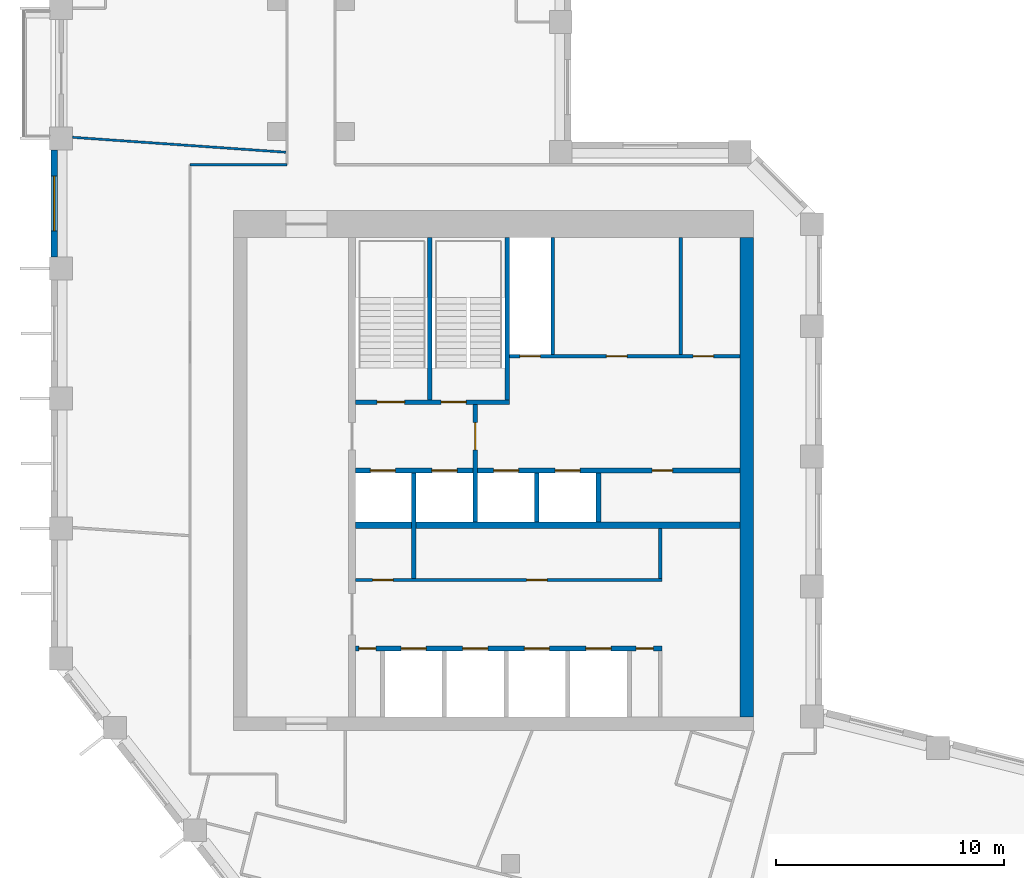
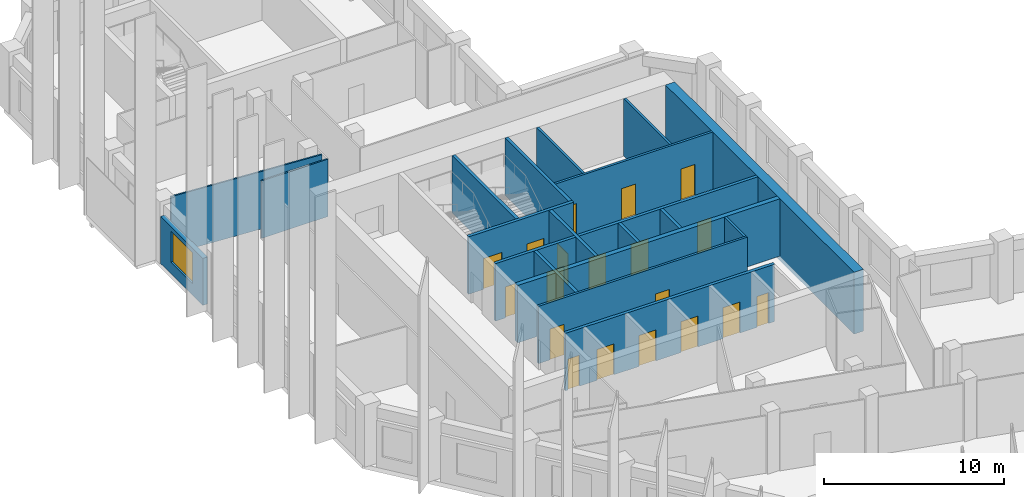
# One storey, part 5 of 9: 19 doors, 19 walls, 1 window, 20 openings.
"""IFC4 building model written with IfcOpenShell, lengths in metres."""

from ifc_helpers import new_model, si_unit, direction, frame, frame_2d, origin, place, context, subcontext, project, spatial, rectangle, extrude, material, layer, layer_set, type_object, element, fill, save


model = new_model("IFC4")

# Units and contexts
model_context = context("Model", 3, precision=1e-05, world=origin(), true_north=direction((0.0, 1.0)))
body_context = subcontext(model_context, "Body", "Model", "MODEL_VIEW")
ifc_project = project(units=[si_unit("LENGTHUNIT", "METRE"), si_unit("AREAUNIT", "SQUARE_METRE"), si_unit("VOLUMEUNIT", "CUBIC_METRE"), si_unit("PLANEANGLEUNIT", "RADIAN"), si_unit("MASSUNIT", "GRAM", prefix="KILO")], contexts=[model_context])

# Site, building, storey
site_placement = place(None, origin())
site = spatial("IfcSite", under=ifc_project, at=site_placement, CompositionType="ELEMENT")
building_placement = place(site_placement, origin())
building = spatial("IfcBuilding", under=site, at=building_placement, Name="Meshkara Civic Tower", CompositionType="ELEMENT")
storey_placement = place(building_placement, frame((0.0, 0.0, 306.60009765625)))
storey = spatial("IfcBuildingStorey", under=building, at=storey_placement, Name="L70", CompositionType="ELEMENT", Elevation=306.60009765625)

# Wall, openings, doors
ifc_material_1 = material(Name="Blockwork", Category="masonry")
ifc_layer_1 = layer(ifc_material_1, 0.14990234375)
ifc_layer_set_1 = layer_set([ifc_layer_1], Name="Core partition 150")
wall_type_1 = type_object("IfcWallType", Name="Core partition 150", PredefinedType="PARTITIONING", material=ifc_layer_set_1)
wall_1_placement = place(storey_placement, frame((13.35009765625, 20.699951171875, 0.0), z_axis=(0.0, 0.0, 1.0), x_axis=(1.0, 0.0, 0.0)))
wall_1 = element("IfcWall", 1, at=wall_1_placement, inside=storey, type_object=wall_type_1, Name="L70-C006", PredefinedType="PARTITIONING", context=body_context, shape_type="SweptSolid", body=[
    extrude(rectangle(XDim=13.4248046875, YDim=0.14990234375, at=frame_2d((6.71240234375, 0.0))), origin(), (0.0, 0.0, 1.0), 3.89990234375),
])
opening_1_placement = place(wall_1_placement, frame((0.75, 0.0, 0.0)))
opening_1 = element("IfcOpeningElement", 2, at=opening_1_placement, cuts=wall_1, Name="Opening L70-K011", PredefinedType="OPENING", context=body_context, shape_type="SweptSolid", body=[
    extrude(rectangle(XDim=0.89990234375, YDim=2.10009765625, at=frame_2d((0.449951171875, 1.050048828125))), frame((0.0, 0.0849609375, 0.0), z_axis=(0.0, -1.0, 0.0), x_axis=(1.0, 0.0, 0.0)), (0.0, 0.0, 1.0), 0.169921875),
])
opening_2_placement = place(wall_1_placement, frame((7.5, 0.0, 0.0)))
opening_2 = element("IfcOpeningElement", 3, at=opening_2_placement, cuts=wall_1, Name="Opening L70-K012", PredefinedType="OPENING", context=body_context, shape_type="SweptSolid", body=[
    extrude(rectangle(XDim=0.89990234375, YDim=2.10009765625, at=frame_2d((0.449951171875, 1.050048828125))), frame((0.0, 0.0849609375, 0.0), z_axis=(0.0, -1.0, 0.0), x_axis=(1.0, 0.0, 0.0)), (0.0, 0.0, 1.0), 0.169921875),
])
ifc_material_2 = material(Name="Timber door leaf in steel frame", Category="steel")
door_type_1 = type_object("IfcDoorType", Name="Core room door 900", OperationType="SINGLE_SWING_LEFT", PredefinedType="DOOR", material=ifc_material_2)
door_1_placement = place(opening_1_placement, origin())
door_1 = element("IfcDoor", 4, at=door_1_placement, inside=storey, type_object=door_type_1, Name="L70-K011", OperationType="SINGLE_SWING_RIGHT", OverallHeight=2.10009765625, OverallWidth=0.89990234375, PredefinedType="DOOR", context=body_context, shape_type="SweptSolid", body=[
    extrude(rectangle(XDim=0.89990234375, YDim=2.10009765625, at=frame_2d((0.449951171875, 1.050048828125))), frame((0.0, 0.02490234375, 0.0), z_axis=(0.0, -1.0, 0.0), x_axis=(1.0, 0.0, 0.0)), (0.0, 0.0, 1.0), 0.050048828125),
])
fill(opening_1, door_1)
door_2_placement = place(opening_2_placement, origin())
door_2 = element("IfcDoor", 5, at=door_2_placement, inside=storey, type_object=door_type_1, Name="L70-K012", OperationType="SINGLE_SWING_LEFT", OverallHeight=2.10009765625, OverallWidth=0.89990234375, PredefinedType="DOOR", context=body_context, shape_type="SweptSolid", body=[
    extrude(rectangle(XDim=0.89990234375, YDim=2.10009765625, at=frame_2d((0.449951171875, 1.050048828125))), frame((0.0, 0.02490234375, 0.0), z_axis=(0.0, -1.0, 0.0), x_axis=(1.0, 0.0, 0.0)), (0.0, 0.0, 1.0), 0.050048828125),
])
fill(opening_2, door_2)

wall_2_placement = place(storey_placement, frame((20.10009765625, 30.5, 0.0), z_axis=(0.0, 0.0, 1.0), x_axis=(1.0, 0.0, 0.0)))
wall_2 = element("IfcWall", 6, at=wall_2_placement, inside=storey, type_object=wall_type_1, Name="L70-C010", PredefinedType="PARTITIONING", context=body_context, shape_type="SweptSolid", body=[
    extrude(rectangle(XDim=10.099853515625, YDim=0.14990234375, at=frame_2d((5.0498046875, 0.0))), origin(), (0.0, 0.0, 1.0), 3.89990234375),
])
opening_3_placement = place(wall_2_placement, frame((0.449951171875, 0.0, 0.0)))
opening_3 = element("IfcOpeningElement", 7, at=opening_3_placement, cuts=wall_2, Name="Opening L70-K014", PredefinedType="OPENING", context=body_context, shape_type="SweptSolid", body=[
    extrude(rectangle(XDim=0.89990234375, YDim=2.10009765625, at=frame_2d((0.449951171875, 1.050048828125))), frame((0.0, 0.0849609375, 0.0), z_axis=(0.0, -1.0, 0.0), x_axis=(1.0, 0.0, 0.0)), (0.0, 0.0, 1.0), 0.169921875),
])
opening_4_placement = place(wall_2_placement, frame((4.25, 0.0, 0.0)))
opening_4 = element("IfcOpeningElement", 8, at=opening_4_placement, cuts=wall_2, Name="Opening L70-K015", PredefinedType="OPENING", context=body_context, shape_type="SweptSolid", body=[
    extrude(rectangle(XDim=0.89990234375, YDim=2.10009765625, at=frame_2d((0.449951171875, 1.050048828125))), frame((0.0, 0.0849609375, 0.0), z_axis=(0.0, -1.0, 0.0), x_axis=(1.0, 0.0, 0.0)), (0.0, 0.0, 1.0), 0.169921875),
])
opening_5_placement = place(wall_2_placement, frame((8.050048828125, 0.0, 0.0)))
opening_5 = element("IfcOpeningElement", 9, at=opening_5_placement, cuts=wall_2, Name="Opening L70-K016", PredefinedType="OPENING", context=body_context, shape_type="SweptSolid", body=[
    extrude(rectangle(XDim=0.89990234375, YDim=2.10009765625, at=frame_2d((0.449951171875, 1.050048828125))), frame((0.0, 0.0849609375, 0.0), z_axis=(0.0, -1.0, 0.0), x_axis=(1.0, 0.0, 0.0)), (0.0, 0.0, 1.0), 0.169921875),
])
door_3_placement = place(opening_4_placement, origin())
door_3 = element("IfcDoor", 10, at=door_3_placement, inside=storey, type_object=door_type_1, Name="L70-K015", OperationType="SINGLE_SWING_RIGHT", OverallHeight=2.10009765625, OverallWidth=0.89990234375, PredefinedType="DOOR", context=body_context, shape_type="SweptSolid", body=[
    extrude(rectangle(XDim=0.89990234375, YDim=2.10009765625, at=frame_2d((0.449951171875, 1.050048828125))), frame((0.0, 0.02490234375, 0.0), z_axis=(0.0, -1.0, 0.0), x_axis=(1.0, 0.0, 0.0)), (0.0, 0.0, 1.0), 0.050048828125),
])
fill(opening_4, door_3)
door_4_placement = place(opening_5_placement, origin())
door_4 = element("IfcDoor", 11, at=door_4_placement, inside=storey, type_object=door_type_1, Name="L70-K016", OperationType="SINGLE_SWING_RIGHT", OverallHeight=2.10009765625, OverallWidth=0.89990234375, PredefinedType="DOOR", context=body_context, shape_type="SweptSolid", body=[
    extrude(rectangle(XDim=0.89990234375, YDim=2.10009765625, at=frame_2d((0.449951171875, 1.050048828125))), frame((0.0, 0.02490234375, 0.0), z_axis=(0.0, -1.0, 0.0), x_axis=(1.0, 0.0, 0.0)), (0.0, 0.0, 1.0), 0.050048828125),
])
fill(opening_5, door_4)
ifc_material_3 = material(Name="Fire-rated door leaf in steel frame", Category="steel")
door_type_2 = type_object("IfcDoorType", Name="Riser door 900", OperationType="SINGLE_SWING_LEFT", PredefinedType="DOOR", material=ifc_material_3)
door_5_placement = place(opening_3_placement, origin())
door_5 = element("IfcDoor", 12, at=door_5_placement, inside=storey, type_object=door_type_2, Name="L70-K014", OperationType="SINGLE_SWING_RIGHT", OverallHeight=2.10009765625, OverallWidth=0.89990234375, PredefinedType="DOOR", context=body_context, shape_type="SweptSolid", body=[
    extrude(rectangle(XDim=0.89990234375, YDim=2.10009765625, at=frame_2d((0.449951171875, 1.050048828125))), frame((0.0, 0.02490234375, 0.0), z_axis=(0.0, -1.0, 0.0), x_axis=(1.0, 0.0, 0.0)), (0.0, 0.0, 1.0), 0.050048828125),
])
fill(opening_3, door_5)

# Walls
wall_3_placement = place(storey_placement, frame((22.0, 30.574951171875, 0.0), z_axis=(0.0, 0.0, 1.0), x_axis=(0.0, 1.0, 0.0)))
element("IfcWall", 13, at=wall_3_placement, inside=storey, type_object=wall_type_1, Name="L70-C020", PredefinedType="PARTITIONING", context=body_context, shape_type="SweptSolid", body=[
    extrude(rectangle(XDim=5.125, YDim=0.14990234375, at=frame_2d((2.5625, 0.0))), origin(), (0.0, 0.0, 1.0), 3.89990234375),
])
wall_4_placement = place(storey_placement, frame((26.699951171875, 20.77490234375, 0.0), z_axis=(0.0, 0.0, 1.0), x_axis=(0.0, 1.0, 0.0)))
element("IfcWall", 14, at=wall_4_placement, inside=storey, type_object=wall_type_1, Name="L70-C025", PredefinedType="PARTITIONING", context=body_context, shape_type="SweptSolid", body=[
    extrude(rectangle(XDim=2.175048828125, YDim=0.14990234375, at=frame_2d((1.08740234375, 0.0))), origin(), (0.0, 0.0, 1.0), 3.89990234375),
])
wall_5_placement = place(storey_placement, frame((27.60009765625, 30.574951171875, 0.0), z_axis=(0.0, 0.0, 1.0), x_axis=(0.0, 1.0, 0.0)))
element("IfcWall", 15, at=wall_5_placement, inside=storey, type_object=wall_type_1, Name="L70-C026", PredefinedType="PARTITIONING", context=body_context, shape_type="SweptSolid", body=[
    extrude(rectangle(XDim=5.125, YDim=0.14990234375, at=frame_2d((2.5625, 0.0))), origin(), (0.0, 0.0, 1.0), 3.89990234375),
])
ifc_material_4 = material(Name="Concrete C60", Category="concrete")
ifc_layer_2 = layer(ifc_material_4, 0.60009765625)
ifc_layer_set_2 = layer_set([ifc_layer_2], Name="Core ring wall 600 C60")
wall_type_2 = type_object("IfcWallType", Name="Core ring wall 600 C60", PredefinedType="SHEAR", material=ifc_layer_set_2)
wall_6_placement = place(storey_placement, frame((30.5, 14.699951171875, -0.300048828125), z_axis=(0.0, 0.0, 1.0), x_axis=(0.0, 1.0, 0.0)))
element("IfcWall", 16, at=wall_6_placement, inside=storey, type_object=wall_type_2, Name="L70-C004", PredefinedType="SHEAR", context=body_context, shape_type="SweptSolid", body=[
    extrude(rectangle(XDim=21.0, YDim=0.60009765625, at=frame_2d((10.5, 0.0))), origin(), (0.0, 0.0, 1.0), 4.199951171875),
])
ifc_material_5 = material(Name="Concrete C60", Category="concrete")
ifc_layer_3 = layer(ifc_material_5, 0.300048828125)
ifc_layer_set_3 = layer_set([ifc_layer_3], Name="Core shear wall 300 C60")
wall_type_3 = type_object("IfcWallType", Name="Core shear wall 300 C60", PredefinedType="SHEAR", material=ifc_layer_set_3)
wall_7_placement = place(storey_placement, frame((13.35009765625, 23.10009765625, 0.0), z_axis=(0.0, 0.0, 1.0), x_axis=(1.0, 0.0, 0.0)))
element("IfcWall", 17, at=wall_7_placement, inside=storey, type_object=wall_type_3, Name="L70-C007", PredefinedType="SHEAR", context=body_context, shape_type="SweptSolid", body=[
    extrude(rectangle(XDim=16.849853515625, YDim=0.300048828125, at=frame_2d((8.4248046875, 0.0))), origin(), (0.0, 0.0, 1.0), 3.89990234375),
])
ifc_material_6 = material(Name="Corridor wall 100")
ifc_layer_4 = layer(ifc_material_6, 0.10009765625)
ifc_layer_set_4 = layer_set([ifc_layer_4], Name="Corridor wall 100")
wall_type_4 = type_object("IfcWallType", Name="Corridor wall 100", PredefinedType="PARTITIONING", material=ifc_layer_set_4)
wall_8_placement = place(storey_placement, frame((10.35009765625, 38.89990234375, 0.0), z_axis=(0.0, 0.0, 1.0), x_axis=(-1.0, 0.0, 0.0)))
element("IfcWall", 18, at=wall_8_placement, inside=storey, type_object=wall_type_4, Name="L70-W011", PredefinedType="PARTITIONING", context=body_context, shape_type="SweptSolid", body=[
    extrude(rectangle(XDim=4.25, YDim=0.10009765625, at=frame_2d((2.125, 0.0))), origin(), (0.0, 0.0, 1.0), 3.89990234375),
])

# Wall, opening, window
ifc_material_7 = material(Name="Insulated infill panel with bronze anodised aluminium cladding", Category="aluminium")
ifc_layer_5 = layer(ifc_material_7, 0.300048828125)
ifc_layer_set_5 = layer_set([ifc_layer_5], Name="EXTERNAL INFILL WALL 300")
wall_type_5 = type_object("IfcWallType", Name="EXTERNAL INFILL WALL 300", PredefinedType="SOLIDWALL", material=ifc_layer_set_5)
wall_9_placement = place(storey_placement, frame((0.14990234375, 39.554931640625, 0.0), z_axis=(0.0, 0.0, 1.0), x_axis=(0.0, -1.0, 0.0)))
wall_9 = element("IfcWall", 19, at=wall_9_placement, inside=storey, type_object=wall_type_5, Name="External wall", PredefinedType="SOLIDWALL", context=body_context, shape_type="SweptSolid", body=[
    extrude(rectangle(XDim=4.699951171875, YDim=0.300048828125, at=frame_2d((2.35009765625, 0.0))), origin(), (0.0, 0.0, 1.0), 3.199951171875),
])
opening_6_placement = place(wall_9_placement, frame((1.14990234375, 0.0, 0.800048828125)))
opening_6 = element("IfcOpeningElement", 20, at=opening_6_placement, cuts=wall_9, Name="Opening W7", PredefinedType="OPENING", context=body_context, shape_type="SweptSolid", body=[
    extrude(rectangle(XDim=2.39990234375, YDim=2.10009765625, at=frame_2d((1.199951171875, 1.050048828125))), frame((0.0, 0.159912109375, 0.0), z_axis=(0.0, -1.0, 0.0), x_axis=(1.0, 0.0, 0.0)), (0.0, 0.0, 1.0), 0.320068359375),
])
ifc_material_8 = material(Name="Tinted double glazing", Category="glass")
window_type = type_object("IfcWindowType", Name="WINDOW 2400x2100", PartitioningType="DOUBLE_PANEL_VERTICAL", PredefinedType="WINDOW", material=ifc_material_8)
window_placement = place(opening_6_placement, origin())
window = element("IfcWindow", 21, at=window_placement, inside=storey, type_object=window_type, Name="Window", OverallHeight=2.10009765625, OverallWidth=2.39990234375, PartitioningType="DOUBLE_PANEL_VERTICAL", PredefinedType="WINDOW", context=body_context, shape_type="SweptSolid", body=[
    extrude(rectangle(XDim=2.39990234375, YDim=2.10009765625, at=frame_2d((1.199951171875, 1.050048828125))), frame((0.0, 0.030029296875, 0.0), z_axis=(0.0, -1.0, 0.0), x_axis=(1.0, 0.0, 0.0)), (0.0, 0.0, 1.0), 0.06005859375),
])
fill(opening_6, window)

# Wall
ifc_material_9 = material(Name="Partition 100")
ifc_layer_6 = layer(ifc_material_9, 0.10009765625)
ifc_layer_set_6 = layer_set([ifc_layer_6], Name="Partition 100")
wall_type_6 = type_object("IfcWallType", Name="Partition 100", PredefinedType="PARTITIONING", material=ifc_layer_set_6)
wall_10_placement = place(storey_placement, frame((10.297119140625, 39.447021484375, 0.0), z_axis=(0.0, 0.0, 1.0), x_axis=(-0.997560818082, 0.069802680657, 0.0)))
element("IfcWall", 22, at=wall_10_placement, inside=storey, type_object=wall_type_6, Name="L70-W045", PredefinedType="PARTITIONING", context=body_context, shape_type="SweptSolid", body=[
    extrude(rectangle(XDim=9.3701171875, YDim=0.10009765625, at=frame_2d((4.68505859375, 0.0))), origin(), (0.0, 0.0, 1.0), 3.89990234375),
])

# Wall, openings, doors
ifc_material_10 = material(Name="Concrete C40/50", Category="concrete")
ifc_layer_7 = layer(ifc_material_10, 0.199951171875)
ifc_layer_set_7 = layer_set([ifc_layer_7], Name="Shaft wall 200 C40/50")
wall_type_7 = type_object("IfcWallType", Name="Shaft wall 200 C40/50", PredefinedType="SOLIDWALL", material=ifc_layer_set_7)
wall_11_placement = place(storey_placement, frame((13.35009765625, 17.699951171875, 0.0), z_axis=(0.0, 0.0, 1.0), x_axis=(1.0, 0.0, 0.0)))
wall_11 = element("IfcWall", 23, at=wall_11_placement, inside=storey, type_object=wall_type_7, Name="L70-C005", PredefinedType="SOLIDWALL", context=body_context, shape_type="SweptSolid", body=[
    extrude(rectangle(XDim=13.4248046875, YDim=0.199951171875, at=frame_2d((6.71240234375, 0.0))), origin(), (0.0, 0.0, 1.0), 3.89990234375),
])
opening_7_placement = place(wall_11_placement, frame((2.0, 0.0, 0.0)))
opening_7 = element("IfcOpeningElement", 24, at=opening_7_placement, cuts=wall_11, Name="Opening L70-K001", PredefinedType="OPENING", context=body_context, shape_type="SweptSolid", body=[
    extrude(rectangle(XDim=1.10009765625, YDim=2.10009765625, at=frame_2d((0.550048828125, 1.050048828125))), frame((0.0, 0.10986328125, 0.0), z_axis=(0.0, -1.0, 0.0), x_axis=(1.0, 0.0, 0.0)), (0.0, 0.0, 1.0), 0.219970703125),
])
opening_8_placement = place(wall_11_placement, frame((4.699951171875, 0.0, 0.0)))
opening_8 = element("IfcOpeningElement", 25, at=opening_8_placement, cuts=wall_11, Name="Opening L70-K002", PredefinedType="OPENING", context=body_context, shape_type="SweptSolid", body=[
    extrude(rectangle(XDim=1.10009765625, YDim=2.10009765625, at=frame_2d((0.550048828125, 1.050048828125))), frame((0.0, 0.10986328125, 0.0), z_axis=(0.0, -1.0, 0.0), x_axis=(1.0, 0.0, 0.0)), (0.0, 0.0, 1.0), 0.219970703125),
])
opening_9_placement = place(wall_11_placement, frame((7.39990234375, 0.0, 0.0)))
opening_9 = element("IfcOpeningElement", 26, at=opening_9_placement, cuts=wall_11, Name="Opening L70-K003", PredefinedType="OPENING", context=body_context, shape_type="SweptSolid", body=[
    extrude(rectangle(XDim=1.10009765625, YDim=2.10009765625, at=frame_2d((0.550048828125, 1.050048828125))), frame((0.0, 0.10986328125, 0.0), z_axis=(0.0, -1.0, 0.0), x_axis=(1.0, 0.0, 0.0)), (0.0, 0.0, 1.0), 0.219970703125),
])
opening_10_placement = place(wall_11_placement, frame((10.10009765625, 0.0, 0.0)))
opening_10 = element("IfcOpeningElement", 27, at=opening_10_placement, cuts=wall_11, Name="Opening L70-K004", PredefinedType="OPENING", context=body_context, shape_type="SweptSolid", body=[
    extrude(rectangle(XDim=1.10009765625, YDim=2.10009765625, at=frame_2d((0.550048828125, 1.050048828125))), frame((0.0, 0.10986328125, 0.0), z_axis=(0.0, -1.0, 0.0), x_axis=(1.0, 0.0, 0.0)), (0.0, 0.0, 1.0), 0.219970703125),
])
opening_11_placement = place(wall_11_placement, frame((0.14990234375, 0.0, 0.0)))
opening_11 = element("IfcOpeningElement", 28, at=opening_11_placement, cuts=wall_11, Name="Opening L70-K009", PredefinedType="OPENING", context=body_context, shape_type="SweptSolid", body=[
    extrude(rectangle(XDim=0.75, YDim=2.10009765625, at=frame_2d((0.375, 1.050048828125))), frame((0.0, 0.10986328125, 0.0), z_axis=(0.0, -1.0, 0.0), x_axis=(1.0, 0.0, 0.0)), (0.0, 0.0, 1.0), 0.219970703125),
])
opening_12_placement = place(wall_11_placement, frame((12.300048828125, 0.0, 0.0)))
opening_12 = element("IfcOpeningElement", 29, at=opening_12_placement, cuts=wall_11, Name="Opening L70-K010", PredefinedType="OPENING", context=body_context, shape_type="SweptSolid", body=[
    extrude(rectangle(XDim=0.75, YDim=2.10009765625, at=frame_2d((0.375, 1.050048828125))), frame((0.0, 0.10986328125, 0.0), z_axis=(0.0, -1.0, 0.0), x_axis=(1.0, 0.0, 0.0)), (0.0, 0.0, 1.0), 0.219970703125),
])
ifc_material_11 = material(Name="Timber door leaf in steel frame", Category="steel")
door_type_3 = type_object("IfcDoorType", Name="Core room door 750", OperationType="SINGLE_SWING_LEFT", PredefinedType="DOOR", material=ifc_material_11)
door_6_placement = place(opening_11_placement, origin())
door_6 = element("IfcDoor", 30, at=door_6_placement, inside=storey, type_object=door_type_3, Name="L70-K009", OperationType="SINGLE_SWING_RIGHT", OverallHeight=2.10009765625, OverallWidth=0.75, PredefinedType="DOOR", context=body_context, shape_type="SweptSolid", body=[
    extrude(rectangle(XDim=0.75, YDim=2.10009765625, at=frame_2d((0.375, 1.050048828125))), frame((0.0, 0.02490234375, 0.0), z_axis=(0.0, -1.0, 0.0), x_axis=(1.0, 0.0, 0.0)), (0.0, 0.0, 1.0), 0.050048828125),
])
fill(opening_11, door_6)
door_7_placement = place(opening_12_placement, origin())
door_7 = element("IfcDoor", 31, at=door_7_placement, inside=storey, type_object=door_type_3, Name="L70-K010", OperationType="SINGLE_SWING_RIGHT", OverallHeight=2.10009765625, OverallWidth=0.75, PredefinedType="DOOR", context=body_context, shape_type="SweptSolid", body=[
    extrude(rectangle(XDim=0.75, YDim=2.10009765625, at=frame_2d((0.375, 1.050048828125))), frame((0.0, 0.02490234375, 0.0), z_axis=(0.0, -1.0, 0.0), x_axis=(1.0, 0.0, 0.0)), (0.0, 0.0, 1.0), 0.050048828125),
])
fill(opening_12, door_7)
ifc_material_12 = material(Name="Stainless steel landing door", Category="steel")
door_type_4 = type_object("IfcDoorType", Name="Lift landing door 1100", OperationType="SLIDING_TO_LEFT", PredefinedType="DOOR", material=ifc_material_12)
door_8_placement = place(opening_7_placement, origin())
door_8 = element("IfcDoor", 32, at=door_8_placement, inside=storey, type_object=door_type_4, Name="L70-K001", OperationType="SLIDING_TO_LEFT", OverallHeight=2.10009765625, OverallWidth=1.10009765625, PredefinedType="DOOR", context=body_context, shape_type="SweptSolid", body=[
    extrude(rectangle(XDim=1.10009765625, YDim=2.10009765625, at=frame_2d((0.550048828125, 1.050048828125))), frame((0.0, 0.02490234375, 0.0), z_axis=(0.0, -1.0, 0.0), x_axis=(1.0, 0.0, 0.0)), (0.0, 0.0, 1.0), 0.050048828125),
])
fill(opening_7, door_8)
door_9_placement = place(opening_8_placement, origin())
door_9 = element("IfcDoor", 33, at=door_9_placement, inside=storey, type_object=door_type_4, Name="L70-K002", OperationType="SLIDING_TO_LEFT", OverallHeight=2.10009765625, OverallWidth=1.10009765625, PredefinedType="DOOR", context=body_context, shape_type="SweptSolid", body=[
    extrude(rectangle(XDim=1.10009765625, YDim=2.10009765625, at=frame_2d((0.550048828125, 1.050048828125))), frame((0.0, 0.02490234375, 0.0), z_axis=(0.0, -1.0, 0.0), x_axis=(1.0, 0.0, 0.0)), (0.0, 0.0, 1.0), 0.050048828125),
])
fill(opening_8, door_9)
door_10_placement = place(opening_9_placement, origin())
door_10 = element("IfcDoor", 34, at=door_10_placement, inside=storey, type_object=door_type_4, Name="L70-K003", OperationType="SLIDING_TO_LEFT", OverallHeight=2.10009765625, OverallWidth=1.10009765625, PredefinedType="DOOR", context=body_context, shape_type="SweptSolid", body=[
    extrude(rectangle(XDim=1.10009765625, YDim=2.10009765625, at=frame_2d((0.550048828125, 1.050048828125))), frame((0.0, 0.02490234375, 0.0), z_axis=(0.0, -1.0, 0.0), x_axis=(1.0, 0.0, 0.0)), (0.0, 0.0, 1.0), 0.050048828125),
])
fill(opening_9, door_10)
door_11_placement = place(opening_10_placement, origin())
door_11 = element("IfcDoor", 35, at=door_11_placement, inside=storey, type_object=door_type_4, Name="L70-K004", OperationType="SLIDING_TO_LEFT", OverallHeight=2.10009765625, OverallWidth=1.10009765625, PredefinedType="DOOR", context=body_context, shape_type="SweptSolid", body=[
    extrude(rectangle(XDim=1.10009765625, YDim=2.10009765625, at=frame_2d((0.550048828125, 1.050048828125))), frame((0.0, 0.02490234375, 0.0), z_axis=(0.0, -1.0, 0.0), x_axis=(1.0, 0.0, 0.0)), (0.0, 0.0, 1.0), 0.050048828125),
])
fill(opening_10, door_11)

wall_12_placement = place(storey_placement, frame((13.35009765625, 25.5, 0.0), z_axis=(0.0, 0.0, 1.0), x_axis=(1.0, 0.0, 0.0)))
wall_12 = element("IfcWall", 36, at=wall_12_placement, inside=storey, type_object=wall_type_7, Name="L70-C008", PredefinedType="SOLIDWALL", context=body_context, shape_type="SweptSolid", body=[
    extrude(rectangle(XDim=16.849853515625, YDim=0.199951171875, at=frame_2d((8.4248046875, 0.0))), origin(), (0.0, 0.0, 1.0), 3.89990234375),
])
opening_13_placement = place(wall_12_placement, frame((0.64990234375, 0.0, 0.0)))
opening_13 = element("IfcOpeningElement", 37, at=opening_13_placement, cuts=wall_12, Name="Opening L70-K005", PredefinedType="OPENING", context=body_context, shape_type="SweptSolid", body=[
    extrude(rectangle(XDim=1.10009765625, YDim=2.10009765625, at=frame_2d((0.550048828125, 1.050048828125))), frame((0.0, 0.10986328125, 0.0), z_axis=(0.0, -1.0, 0.0), x_axis=(1.0, 0.0, 0.0)), (0.0, 0.0, 1.0), 0.219970703125),
])
opening_14_placement = place(wall_12_placement, frame((3.35009765625, 0.0, 0.0)))
opening_14 = element("IfcOpeningElement", 38, at=opening_14_placement, cuts=wall_12, Name="Opening L70-K006", PredefinedType="OPENING", context=body_context, shape_type="SweptSolid", body=[
    extrude(rectangle(XDim=1.10009765625, YDim=2.10009765625, at=frame_2d((0.550048828125, 1.050048828125))), frame((0.0, 0.10986328125, 0.0), z_axis=(0.0, -1.0, 0.0), x_axis=(1.0, 0.0, 0.0)), (0.0, 0.0, 1.0), 0.219970703125),
])
opening_15_placement = place(wall_12_placement, frame((6.050048828125, 0.0, 0.0)))
opening_15 = element("IfcOpeningElement", 39, at=opening_15_placement, cuts=wall_12, Name="Opening L70-K007", PredefinedType="OPENING", context=body_context, shape_type="SweptSolid", body=[
    extrude(rectangle(XDim=1.10009765625, YDim=2.10009765625, at=frame_2d((0.550048828125, 1.050048828125))), frame((0.0, 0.10986328125, 0.0), z_axis=(0.0, -1.0, 0.0), x_axis=(1.0, 0.0, 0.0)), (0.0, 0.0, 1.0), 0.219970703125),
])
opening_16_placement = place(wall_12_placement, frame((8.75, 0.0, 0.0)))
opening_16 = element("IfcOpeningElement", 40, at=opening_16_placement, cuts=wall_12, Name="Opening L70-K008", PredefinedType="OPENING", context=body_context, shape_type="SweptSolid", body=[
    extrude(rectangle(XDim=1.10009765625, YDim=2.10009765625, at=frame_2d((0.550048828125, 1.050048828125))), frame((0.0, 0.10986328125, 0.0), z_axis=(0.0, -1.0, 0.0), x_axis=(1.0, 0.0, 0.0)), (0.0, 0.0, 1.0), 0.219970703125),
])
opening_17_placement = place(wall_12_placement, frame((13.0, 0.0, 0.0)))
opening_17 = element("IfcOpeningElement", 41, at=opening_17_placement, cuts=wall_12, Name="Opening L70-K013", PredefinedType="OPENING", context=body_context, shape_type="SweptSolid", body=[
    extrude(rectangle(XDim=0.89990234375, YDim=2.10009765625, at=frame_2d((0.449951171875, 1.050048828125))), frame((0.0, 0.10986328125, 0.0), z_axis=(0.0, -1.0, 0.0), x_axis=(1.0, 0.0, 0.0)), (0.0, 0.0, 1.0), 0.219970703125),
])
door_12_placement = place(opening_17_placement, origin())
door_12 = element("IfcDoor", 42, at=door_12_placement, inside=storey, type_object=door_type_1, Name="L70-K013", OperationType="SINGLE_SWING_LEFT", OverallHeight=2.10009765625, OverallWidth=0.89990234375, PredefinedType="DOOR", context=body_context, shape_type="SweptSolid", body=[
    extrude(rectangle(XDim=0.89990234375, YDim=2.10009765625, at=frame_2d((0.449951171875, 1.050048828125))), frame((0.0, 0.02490234375, 0.0), z_axis=(0.0, -1.0, 0.0), x_axis=(1.0, 0.0, 0.0)), (0.0, 0.0, 1.0), 0.050048828125),
])
fill(opening_17, door_12)
door_13_placement = place(opening_13_placement, origin())
door_13 = element("IfcDoor", 43, at=door_13_placement, inside=storey, type_object=door_type_4, Name="L70-K005", OperationType="SLIDING_TO_LEFT", OverallHeight=2.10009765625, OverallWidth=1.10009765625, PredefinedType="DOOR", context=body_context, shape_type="SweptSolid", body=[
    extrude(rectangle(XDim=1.10009765625, YDim=2.10009765625, at=frame_2d((0.550048828125, 1.050048828125))), frame((0.0, 0.02490234375, 0.0), z_axis=(0.0, -1.0, 0.0), x_axis=(1.0, 0.0, 0.0)), (0.0, 0.0, 1.0), 0.050048828125),
])
fill(opening_13, door_13)
door_14_placement = place(opening_14_placement, origin())
door_14 = element("IfcDoor", 44, at=door_14_placement, inside=storey, type_object=door_type_4, Name="L70-K006", OperationType="SLIDING_TO_LEFT", OverallHeight=2.10009765625, OverallWidth=1.10009765625, PredefinedType="DOOR", context=body_context, shape_type="SweptSolid", body=[
    extrude(rectangle(XDim=1.10009765625, YDim=2.10009765625, at=frame_2d((0.550048828125, 1.050048828125))), frame((0.0, 0.02490234375, 0.0), z_axis=(0.0, -1.0, 0.0), x_axis=(1.0, 0.0, 0.0)), (0.0, 0.0, 1.0), 0.050048828125),
])
fill(opening_14, door_14)
door_15_placement = place(opening_15_placement, origin())
door_15 = element("IfcDoor", 45, at=door_15_placement, inside=storey, type_object=door_type_4, Name="L70-K007", OperationType="SLIDING_TO_LEFT", OverallHeight=2.10009765625, OverallWidth=1.10009765625, PredefinedType="DOOR", context=body_context, shape_type="SweptSolid", body=[
    extrude(rectangle(XDim=1.10009765625, YDim=2.10009765625, at=frame_2d((0.550048828125, 1.050048828125))), frame((0.0, 0.02490234375, 0.0), z_axis=(0.0, -1.0, 0.0), x_axis=(1.0, 0.0, 0.0)), (0.0, 0.0, 1.0), 0.050048828125),
])
fill(opening_15, door_15)
door_16_placement = place(opening_16_placement, origin())
door_16 = element("IfcDoor", 46, at=door_16_placement, inside=storey, type_object=door_type_4, Name="L70-K008", OperationType="SLIDING_TO_LEFT", OverallHeight=2.10009765625, OverallWidth=1.10009765625, PredefinedType="DOOR", context=body_context, shape_type="SweptSolid", body=[
    extrude(rectangle(XDim=1.10009765625, YDim=2.10009765625, at=frame_2d((0.550048828125, 1.050048828125))), frame((0.0, 0.02490234375, 0.0), z_axis=(0.0, -1.0, 0.0), x_axis=(1.0, 0.0, 0.0)), (0.0, 0.0, 1.0), 0.050048828125),
])
fill(opening_16, door_16)

# Wall
wall_13_placement = place(storey_placement, frame((15.89990234375, 20.77490234375, 0.0), z_axis=(0.0, 0.0, 1.0), x_axis=(0.0, 1.0, 0.0)))
element("IfcWall", 47, at=wall_13_placement, inside=storey, type_object=wall_type_7, Name="L70-C013", PredefinedType="SOLIDWALL", context=body_context, shape_type="SweptSolid", body=[
    extrude(rectangle(XDim=4.625, YDim=0.199951171875, at=frame_2d((2.3125, 0.0))), origin(), (0.0, 0.0, 1.0), 3.89990234375),
])

# Wall, opening, door
wall_14_placement = place(storey_placement, frame((18.60009765625, 23.25, 0.0), z_axis=(0.0, 0.0, 1.0), x_axis=(0.0, 1.0, 0.0)))
wall_14 = element("IfcWall", 48, at=wall_14_placement, inside=storey, type_object=wall_type_7, Name="L70-C016", PredefinedType="SOLIDWALL", context=body_context, shape_type="SweptSolid", body=[
    extrude(rectangle(XDim=5.14990234375, YDim=0.199951171875, at=frame_2d((2.574951171875, 0.0))), origin(), (0.0, 0.0, 1.0), 3.89990234375),
])
opening_18_placement = place(wall_14_placement, frame((3.14990234375, 0.0, 0.0)))
opening_18 = element("IfcOpeningElement", 49, at=opening_18_placement, cuts=wall_14, Name="Opening L70-K021", PredefinedType="OPENING", context=body_context, shape_type="SweptSolid", body=[
    extrude(rectangle(XDim=1.199951171875, YDim=2.10009765625, at=frame_2d((0.60009765625, 1.050048828125))), frame((0.0, 0.10986328125, 0.0), z_axis=(0.0, -1.0, 0.0), x_axis=(1.0, 0.0, 0.0)), (0.0, 0.0, 1.0), 0.219970703125),
])
ifc_material_13 = material(Name="Fire-rated door leaf in steel frame", Category="steel")
door_type_5 = type_object("IfcDoorType", Name="Fire-fighting lobby door 1200 EI 120", OperationType="SINGLE_SWING_LEFT", PredefinedType="DOOR", material=ifc_material_13)
door_17_placement = place(opening_18_placement, origin())
door_17 = element("IfcDoor", 50, at=door_17_placement, inside=storey, type_object=door_type_5, Name="L70-K021", OperationType="SINGLE_SWING_RIGHT", OverallHeight=2.10009765625, OverallWidth=1.199951171875, PredefinedType="DOOR", context=body_context, shape_type="SweptSolid", body=[
    extrude(rectangle(XDim=1.199951171875, YDim=2.10009765625, at=frame_2d((0.60009765625, 1.050048828125))), frame((0.0, 0.02490234375, 0.0), z_axis=(0.0, -1.0, 0.0), x_axis=(1.0, 0.0, 0.0)), (0.0, 0.0, 1.0), 0.050048828125),
])
fill(opening_18, door_17)

# Walls
for number, where, z_axis, x_axis, name in (
    (51, (21.300048828125, 23.25, 0.0), (0.0, 0.0, 1.0), (0.0, 1.0, 0.0), "L70-C019"),
    (52, (24.0, 23.25, 0.0), (0.0, 0.0, 1.0), (0.0, 1.0, 0.0), "L70-C022"),
):
    element("IfcWall", number, at=place(storey_placement, frame(where, z_axis=z_axis, x_axis=x_axis)), inside=storey, type_object=wall_type_7, Name=name, PredefinedType="SOLIDWALL", context=body_context, shape_type="SweptSolid", body=[
        extrude(rectangle(XDim=2.14990234375, YDim=0.199951171875, at=frame_2d((1.074951171875, 0.0))), origin(), (0.0, 0.0, 1.0), 3.89990234375),
    ])

# Wall, openings, doors
ifc_material_14 = material(Name="Concrete C40/50", Category="concrete")
ifc_layer_8 = layer(ifc_material_14, 0.199951171875)
ifc_layer_set_8 = layer_set([ifc_layer_8], Name="Stair enclosure wall 200 C40/50")
wall_type_8 = type_object("IfcWallType", Name="Stair enclosure wall 200 C40/50", PredefinedType="SOLIDWALL", material=ifc_layer_set_8)
wall_15_placement = place(storey_placement, frame((13.35009765625, 28.5, 0.0), z_axis=(0.0, 0.0, 1.0), x_axis=(1.0, 0.0, 0.0)))
wall_15 = element("IfcWall", 53, at=wall_15_placement, inside=storey, type_object=wall_type_8, Name="L70-C009", PredefinedType="SOLIDWALL", context=body_context, shape_type="SweptSolid", body=[
    extrude(rectangle(XDim=6.75, YDim=0.199951171875, at=frame_2d((3.375, 0.0))), origin(), (0.0, 0.0, 1.0), 3.89990234375),
])
opening_19_placement = place(wall_15_placement, frame((0.949951171875, 0.0, 0.0)))
opening_19 = element("IfcOpeningElement", 54, at=opening_19_placement, cuts=wall_15, Name="Opening L70-K017", PredefinedType="OPENING", context=body_context, shape_type="SweptSolid", body=[
    extrude(rectangle(XDim=1.199951171875, YDim=2.10009765625, at=frame_2d((0.60009765625, 1.050048828125))), frame((0.0, 0.10986328125, 0.0), z_axis=(0.0, -1.0, 0.0), x_axis=(1.0, 0.0, 0.0)), (0.0, 0.0, 1.0), 0.219970703125),
])
opening_20_placement = place(wall_15_placement, frame((3.75, 0.0, 0.0)))
opening_20 = element("IfcOpeningElement", 55, at=opening_20_placement, cuts=wall_15, Name="Opening L70-K018", PredefinedType="OPENING", context=body_context, shape_type="SweptSolid", body=[
    extrude(rectangle(XDim=1.10009765625, YDim=2.10009765625, at=frame_2d((0.550048828125, 1.050048828125))), frame((0.0, 0.10986328125, 0.0), z_axis=(0.0, -1.0, 0.0), x_axis=(1.0, 0.0, 0.0)), (0.0, 0.0, 1.0), 0.219970703125),
])
ifc_material_15 = material(Name="Fire-rated door leaf in steel frame", Category="steel")
door_type_6 = type_object("IfcDoorType", Name="Stair door 1100 EI 120", OperationType="SINGLE_SWING_LEFT", PredefinedType="DOOR", material=ifc_material_15)
door_18_placement = place(opening_20_placement, origin())
door_18 = element("IfcDoor", 56, at=door_18_placement, inside=storey, type_object=door_type_6, Name="L70-K018", OperationType="SINGLE_SWING_LEFT", OverallHeight=2.10009765625, OverallWidth=1.10009765625, PredefinedType="DOOR", context=body_context, shape_type="SweptSolid", body=[
    extrude(rectangle(XDim=1.10009765625, YDim=2.10009765625, at=frame_2d((0.550048828125, 1.050048828125))), frame((0.0, 0.02490234375, 0.0), z_axis=(0.0, -1.0, 0.0), x_axis=(1.0, 0.0, 0.0)), (0.0, 0.0, 1.0), 0.050048828125),
])
fill(opening_20, door_18)
ifc_material_16 = material(Name="Fire-rated door leaf in steel frame", Category="steel")
door_type_7 = type_object("IfcDoorType", Name="Stair door 1200 EI 120", OperationType="SINGLE_SWING_LEFT", PredefinedType="DOOR", material=ifc_material_16)
door_19_placement = place(opening_19_placement, origin())
door_19 = element("IfcDoor", 57, at=door_19_placement, inside=storey, type_object=door_type_7, Name="L70-K017", OperationType="SINGLE_SWING_RIGHT", OverallHeight=2.10009765625, OverallWidth=1.199951171875, PredefinedType="DOOR", context=body_context, shape_type="SweptSolid", body=[
    extrude(rectangle(XDim=1.199951171875, YDim=2.10009765625, at=frame_2d((0.60009765625, 1.050048828125))), frame((0.0, 0.02490234375, 0.0), z_axis=(0.0, -1.0, 0.0), x_axis=(1.0, 0.0, 0.0)), (0.0, 0.0, 1.0), 0.050048828125),
])
fill(opening_19, door_19)

# Walls
for number, where, z_axis, x_axis, name in (
    (58, (16.60009765625, 28.60009765625, 0.0), (0.0, 0.0, 1.0), (0.0, 1.0, 0.0), "L70-C014"),
    (59, (20.0, 28.60009765625, 0.0), (0.0, 0.0, 1.0), (0.0, 1.0, 0.0), "L70-C018"),
):
    element("IfcWall", number, at=place(storey_placement, frame(where, z_axis=z_axis, x_axis=x_axis)), inside=storey, type_object=wall_type_8, Name=name, PredefinedType="SOLIDWALL", context=body_context, shape_type="SweptSolid", body=[
        extrude(rectangle(XDim=7.099853515625, YDim=0.199951171875, at=frame_2d((3.5498046875, 0.0))), origin(), (0.0, 0.0, 1.0), 3.89990234375),
    ])

save(model, "model.ifc")
